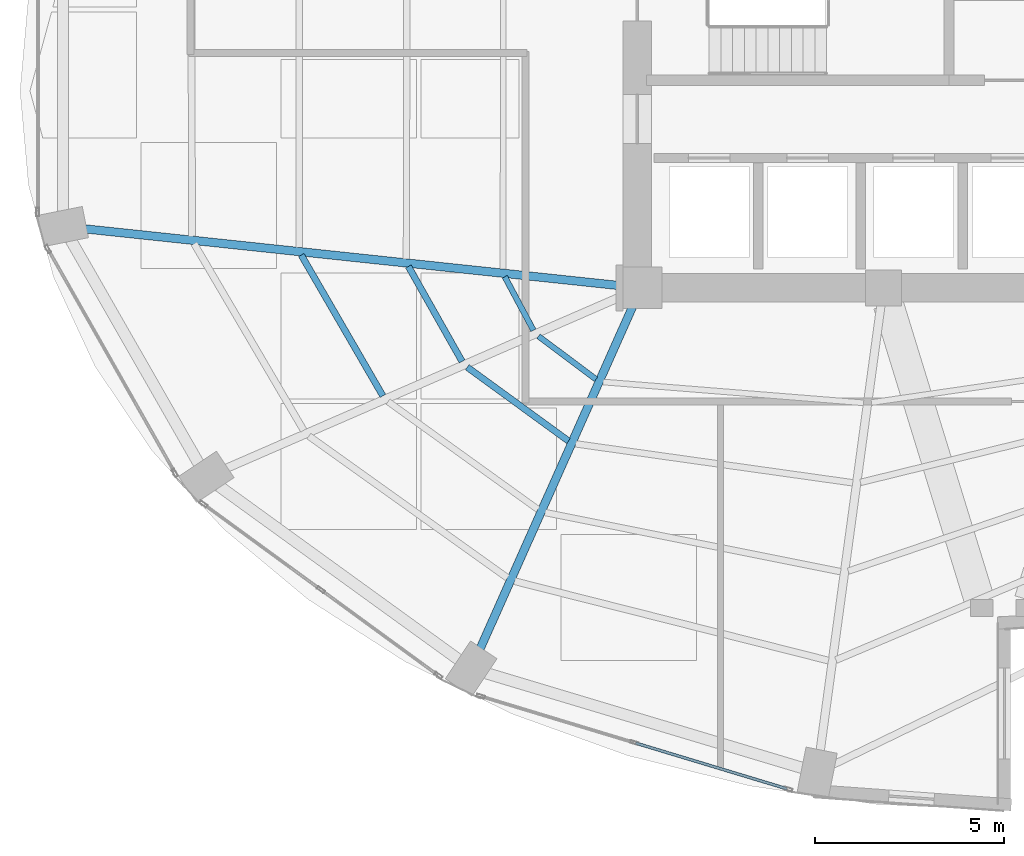
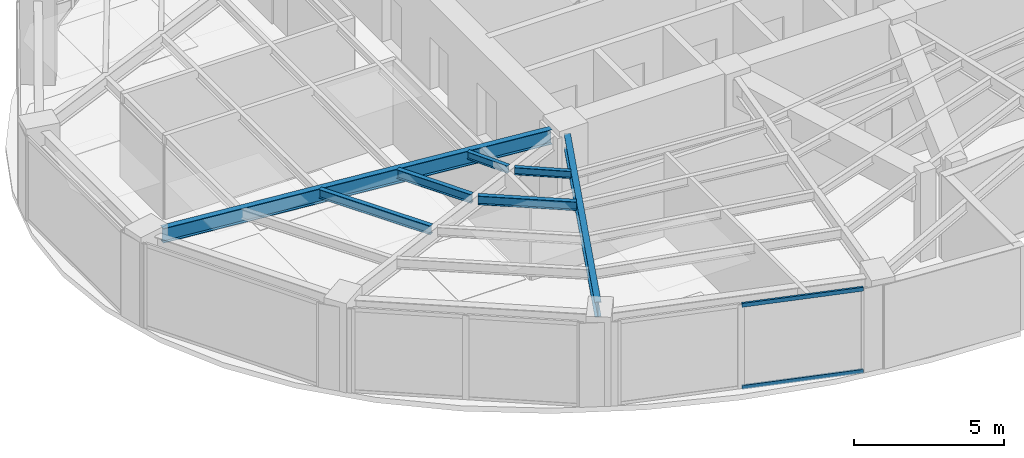
# One storey, part 4 of 23: 7 beams, 2 members, 1 element without a shape of its own.
"""IFC4 building model written with IfcOpenShell, lengths in metres."""

import ifcopenshell
import ifcopenshell.guid

model = None  # the IFC model being written
_history = None  # IfcOwnerHistory: only IFC2X3 demands one
_inside = {}  # id of a spatial element -> (the spatial element, [elements in it])
_under = {}  # id of a project, library or spatial element -> (it, [spatial elements below it])
_declared = {}  # id of a project -> (the project, [libraries it declares])
_typed = {}  # id of a type object -> (the type object, [elements of that type])
_made_of = {}  # id of a material, layer set ... -> (it, [elements and type objects made of it])


def new_model(schema):
    """Start an empty IFC model of exactly this schema.

    Asked for "IFC4X3", IfcOpenShell would pick the latest addendum, in which some entities
    have other attributes; the version numbers below select the first issue.
    IFC2X3 requires an IfcOwnerHistory on every rooted entity: one is made here for all.
    """
    global model, _history
    if schema == "IFC4X3":
        model = ifcopenshell.file(schema_version=(4, 3, 0, 0))
    else:
        model = ifcopenshell.file(schema=schema)
    _inside.clear()
    _under.clear()
    _declared.clear()
    _typed.clear()
    _made_of.clear()
    _history = None
    if model.schema == "IFC2X3":
        org = make("IfcOrganization", Name="unknown")
        user = make(
            "IfcPersonAndOrganization",
            ThePerson=make("IfcPerson", FamilyName="unknown"),
            TheOrganization=org,
        )
        app = make(
            "IfcApplication",
            ApplicationDeveloper=org,
            Version="unknown",
            ApplicationFullName="unknown",
            ApplicationIdentifier="unknown",
        )
        _history = make(
            "IfcOwnerHistory",
            OwningUser=user,
            OwningApplication=app,
            ChangeAction="ADDED",
            CreationDate=0,
        )
    return model


def make(cls, **values):
    """One entity of the class cls with the attributes given. An attribute that is None is left unset."""
    return model.create_entity(
        cls, **{name: value for name, value in values.items() if value is not None}
    )


def rooted(cls, **values):
    """An entity with a GlobalId (a new one), such as an element, a storey or a relation."""
    return make(cls, GlobalId=ifcopenshell.guid.new(), OwnerHistory=_history, **values)


def si_unit(unit_type, name, prefix=None):
    """IfcSIUnit, for example si_unit("LENGTHUNIT", "METRE", prefix="MILLI")."""
    return make("IfcSIUnit", UnitType=unit_type, Prefix=prefix, Name=name)


def assignment(units):
    """IfcUnitAssignment: the units of a project."""
    return None if units is None else make("IfcUnitAssignment", Units=units)


def point(xyz):
    """IfcCartesianPoint."""
    return None if xyz is None else make("IfcCartesianPoint", Coordinates=xyz)


def direction(xyz):
    """IfcDirection."""
    return None if xyz is None else make("IfcDirection", DirectionRatios=xyz)


def frame(location, z_axis=None, x_axis=None):
    """IfcAxis2Placement3D, a coordinate frame: its origin and axes. An axis left out is left unset."""
    return make(
        "IfcAxis2Placement3D",
        Location=point(location),
        Axis=direction(z_axis),
        RefDirection=direction(x_axis),
    )


def frame_2d(location, x_axis=None):
    """IfcAxis2Placement2D, a coordinate frame in the plane: its origin and x axis."""
    return make(
        "IfcAxis2Placement2D", Location=point(location), RefDirection=direction(x_axis)
    )


def origin():
    """The frame at (0, 0, 0) with its axes left unset."""
    return frame((0.0, 0.0, 0.0))


def origin_2d():
    """The frame at (0, 0) in the plane with its x axis left unset."""
    return frame_2d((0.0, 0.0))


def place(relative_to, where):
    """IfcLocalPlacement: puts the frame where relative to a parent placement (None: the world)."""
    return make(
        "IfcLocalPlacement", PlacementRelTo=relative_to, RelativePlacement=where
    )


def context(
    kind, dimensions, precision=None, world=None, true_north=None, identifier=None
):
    """IfcGeometricRepresentationContext, for example the 3D "Model" context."""
    return make(
        "IfcGeometricRepresentationContext",
        ContextIdentifier=identifier,
        ContextType=kind,
        CoordinateSpaceDimension=dimensions,
        Precision=precision,
        WorldCoordinateSystem=world,
        TrueNorth=true_north,
    )


def subcontext(parent, identifier, kind, view, scale=None):
    """IfcGeometricRepresentationSubContext, for example "Body" below "Model"."""
    return make(
        "IfcGeometricRepresentationSubContext",
        ContextIdentifier=identifier,
        ContextType=kind,
        ParentContext=parent,
        TargetScale=scale,
        TargetView=view,
    )


def project(units=None, contexts=None):
    """IfcProject with its units and contexts."""
    return rooted(
        "IfcProject",
        Name="project",
        RepresentationContexts=contexts,
        UnitsInContext=assignment(units),
    )


def spatial(cls, under=None, at=None, **own):
    """A site, building, storey or space (cls), placed at a placement, below another one or the project."""
    s = rooted(cls, ObjectPlacement=at, **own)
    if under is not None:
        _under.setdefault(under.id(), (under, []))[1].append(s)
    return s


def profile(cls, at=None, kind="AREA", **sizes):
    """A parametric profile (cls). Its sizes go by their IFC names, for example OverallWidth=200.0."""
    return make(cls, ProfileType=kind, Position=at, **sizes)


def hollow_rectangle(**sizes):
    """IfcRectangleHollowProfileDef."""
    return profile("IfcRectangleHollowProfileDef", **sizes)


def i_section(**sizes):
    """IfcIShapeProfileDef."""
    return profile("IfcIShapeProfileDef", **sizes)


def extrude(swept, where, along, depth):
    """IfcExtrudedAreaSolid: the profile swept, set in the frame where, extruded along a direction by depth."""
    return make(
        "IfcExtrudedAreaSolid",
        SweptArea=swept,
        Position=where,
        ExtrudedDirection=direction(along),
        Depth=depth,
    )


def shape(context_of_items, identifier, shape_type, items):
    """IfcShapeRepresentation: the items that make up one representation, for example the "Body"."""
    return make(
        "IfcShapeRepresentation",
        ContextOfItems=context_of_items,
        RepresentationIdentifier=identifier,
        RepresentationType=shape_type,
        Items=items,
    )


def material(Name=None, Category=None):
    """IfcMaterial."""
    return make("IfcMaterial", Name=Name, Category=Category)


def layer(
    of_material, thickness, ventilated=None, Name=None, Category=None, Priority=None
):
    """IfcMaterialLayer: one layer of a wall or slab, of a material (None: an air gap)."""
    return make(
        "IfcMaterialLayer",
        Material=of_material,
        LayerThickness=thickness,
        IsVentilated=ventilated,
        Name=Name,
        Category=Category,
        Priority=Priority,
    )


def layer_set(layers, Name=None):
    """IfcMaterialLayerSet."""
    return make("IfcMaterialLayerSet", MaterialLayers=layers, LayerSetName=Name)


def material_profile(
    of_material, cross_section, Name=None, Category=None, Priority=None
):
    """IfcMaterialProfile: a cross section and its material."""
    return make(
        "IfcMaterialProfile",
        Name=Name,
        Material=of_material,
        Profile=cross_section,
        Priority=Priority,
        Category=Category,
    )


def profile_set(profiles, Name=None, composite=None):
    """IfcMaterialProfileSet."""
    return make(
        "IfcMaterialProfileSet",
        Name=Name,
        MaterialProfiles=profiles,
        CompositeProfile=composite,
    )


def made_of(thing, what):
    """Note that an element or type object is made of a material, layer set ...; save() writes the relation."""
    if what is not None:
        _made_of.setdefault(what.id(), (what, []))[1].append(thing)
    return thing


def type_object(cls, material=None, **own):
    """A type object (cls), such as IfcWallType, which elements share."""
    return made_of(rooted(cls, **own), material)


def element(
    cls,
    number,
    at=None,
    inside=None,
    cuts=None,
    type_object=None,
    material=None,
    context=None,
    identifier="Body",
    shape_type=None,
    held_by="IfcProductDefinitionShape",
    body=None,
    shapes=None,
    **own,
):
    """One element of the class cls, such as IfcWall. Its Tag is "e" and its number.

    at: its placement. inside: the storey or other place that contains it. cuts: it is an
    opening in that element (IfcRelVoidsElement). A single representation is given by context,
    identifier, shape_type and body (its items); several are given by shapes. held_by: the class
    of the entity that holds the representations. save() writes the other relations.
    """
    e = rooted(cls, Tag="e%d" % number, ObjectPlacement=at, **own)
    if body is not None:
        shapes = [shape(context, identifier, shape_type, body)]
    if shapes is not None:
        e.Representation = make(held_by, Representations=shapes)
    if inside is not None:
        _inside.setdefault(inside.id(), (inside, []))[1].append(e)
    if cuts is not None:
        rooted(
            "IfcRelVoidsElement", RelatingBuildingElement=cuts, RelatedOpeningElement=e
        )
    if type_object is not None:
        _typed.setdefault(type_object.id(), (type_object, []))[1].append(e)
    return made_of(e, material)


def aggregate(whole, parts):
    """IfcRelAggregates: a whole, such as a stair, and the parts it consists of."""
    return rooted("IfcRelAggregates", RelatingObject=whole, RelatedObjects=parts)


def save(model, path):
    """Write the relations noted so far, then the file.

    IfcRelAggregates (storeys below a building ...), IfcRelContainedInSpatialStructure (elements
    in a storey), IfcRelDefinesByType, IfcRelAssociatesMaterial and IfcRelDeclares: one each for
    every whole, place, type object, material and project.
    """
    for whole, parts in _under.values():
        aggregate(whole, parts)
    for where, things in _inside.values():
        rooted(
            "IfcRelContainedInSpatialStructure",
            RelatedElements=things,
            RelatingStructure=where,
        )
    for kind, things in _typed.values():
        rooted("IfcRelDefinesByType", RelatedObjects=things, RelatingType=kind)
    for what, things in _made_of.values():
        rooted("IfcRelAssociatesMaterial", RelatedObjects=things, RelatingMaterial=what)
    for by, libraries in _declared.values():
        rooted("IfcRelDeclares", RelatingContext=by, RelatedDefinitions=libraries)
    model.write(path)


model = new_model("IFC4")

# Units and contexts
model_context = context("Model", 3, precision=1e-05, world=origin(), true_north=direction((0.0, 1.0)))
body_context = subcontext(model_context, "Body", "Model", "MODEL_VIEW")
ifc_project = project(units=[si_unit("LENGTHUNIT", "METRE"), si_unit("AREAUNIT", "SQUARE_METRE"), si_unit("VOLUMEUNIT", "CUBIC_METRE"), si_unit("PLANEANGLEUNIT", "RADIAN"), si_unit("MASSUNIT", "GRAM", prefix="KILO")], contexts=[model_context])

# Site, building, storey
site_placement = place(None, origin())
site = spatial("IfcSite", under=ifc_project, at=site_placement, CompositionType="ELEMENT")
building_placement = place(site_placement, origin())
building = spatial("IfcBuilding", under=site, at=building_placement, Name="Lazwardi Medical Tower", CompositionType="ELEMENT")
storey_placement = place(building_placement, frame((0.0, 0.0, 125.52001953125)))
storey = spatial("IfcBuildingStorey", under=building, at=storey_placement, Name="L32", CompositionType="ELEMENT", Elevation=125.52001953125)

# Beams
ifc_material_1 = material(Name="Steel S355", Category="steel")
ifc_material_profile_1 = material_profile(ifc_material_1, i_section(OverallWidth=0.219970703125, OverallDepth=0.60009765625, WebThickness=0.011962890625, FlangeThickness=0.01904296875, at=origin_2d()), Name="IPE 600")
ifc_profile_set_1 = profile_set([ifc_material_profile_1], Name="Steel S355")
beam_type_1 = type_object("IfcBeamType", Name="BM-RG-W1", PredefinedType="BEAM", material=ifc_profile_set_1)
beam_1_placement = place(storey_placement, frame((11.7138671875, 21.958984375, 3.1279296875), z_axis=(0.994413340753, -0.10555618282, 0.0), x_axis=(0.10555618282, 0.994413340753, 0.0)))
element("IfcBeam", 1, at=beam_1_placement, inside=storey, type_object=beam_type_1, Name="Radial girder RG-02 R13 L32", PredefinedType="BEAM", context=body_context, shape_type="SweptSolid", body=[
    extrude(i_section(OverallWidth=0.219970703125, OverallDepth=0.60009765625, WebThickness=0.011962890625, FlangeThickness=0.01904296875, at=origin_2d()), origin(), (0.0, 0.0, 1.0), 14.233642578125),
])
beam_2_placement = place(storey_placement, frame((22.152587890625, 10.872314453125, 3.1279296875), z_axis=(0.407165924957, 0.913354208155, 0.0), x_axis=(-0.913354208155, 0.407165924957, 0.0)))
element("IfcBeam", 2, at=beam_2_placement, inside=storey, type_object=beam_type_1, Name="Radial girder RG-02 R15 L32", PredefinedType="BEAM", context=body_context, shape_type="SweptSolid", body=[
    extrude(i_section(OverallWidth=0.219970703125, OverallDepth=0.60009765625, WebThickness=0.011962890625, FlangeThickness=0.01904296875, at=origin_2d()), origin(), (0.0, 0.0, 1.0), 9.896484375),
])
ifc_material_profile_2 = material_profile(ifc_material_1, i_section(OverallWidth=0.169921875, OverallDepth=0.360107421875, WebThickness=0.008056640625, FlangeThickness=0.0126953125, at=origin_2d()), Name="IPE 360")
ifc_profile_set_2 = profile_set([ifc_material_profile_2], Name="Steel S355")
beam_type_2 = type_object("IfcBeamType", Name="BM-SJ-02", PredefinedType="JOIST", material=ifc_profile_set_2)
beam_3_placement = place(storey_placement, frame((17.42822265625, 21.26708984375, 3.248046875), z_axis=(0.501365325212, -0.865235696602, 0.0), x_axis=(0.865235696602, 0.501365325212, 0.0)))
element("IfcBeam", 3, at=beam_3_placement, inside=storey, type_object=beam_type_2, Name="Secondary joist SJ-02 R2 B13 L32", PredefinedType="JOIST", context=body_context, shape_type="SweptSolid", body=[
    extrude(i_section(OverallWidth=0.169921875, OverallDepth=0.360107421875, WebThickness=0.008056640625, FlangeThickness=0.0126953125, at=origin_2d()), origin(), (0.0, 0.0, 1.0), 4.298828125),
])
beam_4_placement = place(storey_placement, frame((20.258056640625, 20.966064453125, 3.248046875), z_axis=(0.492026539517, -0.870580199873, 0.0), x_axis=(0.870580199873, 0.492026539517, 0.0)))
element("IfcBeam", 4, at=beam_4_placement, inside=storey, type_object=beam_type_2, Name="Secondary joist SJ-02 R3 B13 L32", PredefinedType="JOIST", context=body_context, shape_type="SweptSolid", body=[
    extrude(i_section(OverallWidth=0.169921875, OverallDepth=0.360107421875, WebThickness=0.008056640625, FlangeThickness=0.0126953125, at=origin_2d()), origin(), (0.0, 0.0, 1.0), 2.880859375),
])
beam_5_placement = place(storey_placement, frame((21.81201171875, 18.3046875, 3.248046875), z_axis=(0.808301737247, -0.588768461761, 0.0), x_axis=(0.588768461761, 0.808301737247, 0.0)))
element("IfcBeam", 5, at=beam_5_placement, inside=storey, type_object=beam_type_2, Name="Secondary joist SJ-02 R3 B14 L32", PredefinedType="JOIST", context=body_context, shape_type="SweptSolid", body=[
    extrude(i_section(OverallWidth=0.169921875, OverallDepth=0.360107421875, WebThickness=0.008056640625, FlangeThickness=0.0126953125, at=origin_2d()), origin(), (0.0, 0.0, 1.0), 3.307373046875),
])
ifc_material_profile_3 = material_profile(ifc_material_1, i_section(OverallWidth=0.14990234375, OverallDepth=0.300048828125, WebThickness=0.007080078125, FlangeThickness=0.0107421875, at=origin_2d()), Name="IPE 300")
ifc_profile_set_3 = profile_set([ifc_material_profile_3], Name="Steel S355")
beam_type_3 = type_object("IfcBeamType", Name="BM-SJ-03", PredefinedType="JOIST", material=ifc_profile_set_3)
beam_6_placement = place(storey_placement, frame((22.8037109375, 20.6943359375, 3.278076171875), z_axis=(0.471022344925, -0.882121278839, 0.0), x_axis=(0.882121278839, 0.471022344925, 0.0)))
element("IfcBeam", 6, at=beam_6_placement, inside=storey, type_object=beam_type_3, Name="Secondary joist SJ-03 R4 B13 L32", PredefinedType="JOIST", context=body_context, shape_type="SweptSolid", body=[
    extrude(i_section(OverallWidth=0.14990234375, OverallDepth=0.300048828125, WebThickness=0.007080078125, FlangeThickness=0.0107421875, at=origin_2d()), origin(), (0.0, 0.0, 1.0), 1.605224609375),
])
beam_7_placement = place(storey_placement, frame((23.693359375, 19.12255859375, 3.278076171875), z_axis=(0.800447687995, -0.599402618265, 0.0), x_axis=(0.599402618265, 0.800447687995, 0.0)))
element("IfcBeam", 7, at=beam_7_placement, inside=storey, type_object=beam_type_3, Name="Secondary joist SJ-03 R4 B14 L32", PredefinedType="JOIST", context=body_context, shape_type="SweptSolid", body=[
    extrude(i_section(OverallWidth=0.14990234375, OverallDepth=0.300048828125, WebThickness=0.007080078125, FlangeThickness=0.0107421875, at=origin_2d()), origin(), (0.0, 0.0, 1.0), 1.896728515625),
])

# Curtain wall, members
ifc_material_2 = material(Name="Anodised bronze aluminium and solar control glazing", Category="aluminium")
ifc_layer = layer(ifc_material_2, 0.195068359375)
ifc_layer_set = layer_set([ifc_layer], Name="Anodised bronze aluminium and solar control glazing")
curtain_wall_type = type_object("IfcCurtainWallType", Name="CW-SYS-03", PredefinedType="NOTDEFINED", material=ifc_layer_set)
curtain_wall_placement = place(storey_placement, origin())
curtain_wall = element("IfcCurtainWall", 8, at=curtain_wall_placement, inside=storey, type_object=curtain_wall_type, Name="L32 Unitised bronze curtain wall CW-03", PredefinedType="NOTDEFINED")
ifc_material_3 = material(Name="Anodised bronze aluminium", Category="aluminium")
ifc_material_profile_4 = material_profile(ifc_material_3, hollow_rectangle(XDim=0.074951171875, YDim=0.159912109375, WallThickness=0.00390625, at=origin_2d()), Name="ALU-TRANSOM 160x75x4")
ifc_profile_set_4 = profile_set([ifc_material_profile_4], Name="Anodised bronze aluminium")
member_type = type_object("IfcMemberType", Name="CW-TRN-01", PredefinedType="USERDEFINED", material=ifc_profile_set_4)
member_1_placement = place(storey_placement, frame((26.2666015625, 8.3759765625, 0.03759765625), z_axis=(0.957220865985, -0.289358279168, 0.0), x_axis=(0.289358279168, 0.957220865985, 0.0)))
member_1 = element("IfcMember", 9, at=member_1_placement, type_object=member_type, Name="CW-03 transom 2.1", ObjectType="TRANSOM", PredefinedType="USERDEFINED", context=body_context, shape_type="SweptSolid", body=[
    extrude(hollow_rectangle(XDim=0.074951171875, YDim=0.159912109375, WallThickness=0.00390625, at=origin_2d()), origin(), (0.0, 0.0, 1.0), 4.16552734375),
])
member_2_placement = place(storey_placement, frame((26.2666015625, 8.3759765625, 3.390380859375), z_axis=(0.957220865985, -0.289358279168, 0.0), x_axis=(0.289358279168, 0.957220865985, 0.0)))
member_2 = element("IfcMember", 10, at=member_2_placement, type_object=member_type, Name="CW-03 transom 2.2", ObjectType="TRANSOM", PredefinedType="USERDEFINED", context=body_context, shape_type="SweptSolid", body=[
    extrude(hollow_rectangle(XDim=0.074951171875, YDim=0.159912109375, WallThickness=0.00390625, at=origin_2d()), origin(), (0.0, 0.0, 1.0), 4.16552734375),
])
aggregate(curtain_wall, [member_1, member_2])

save(model, "model.ifc")
